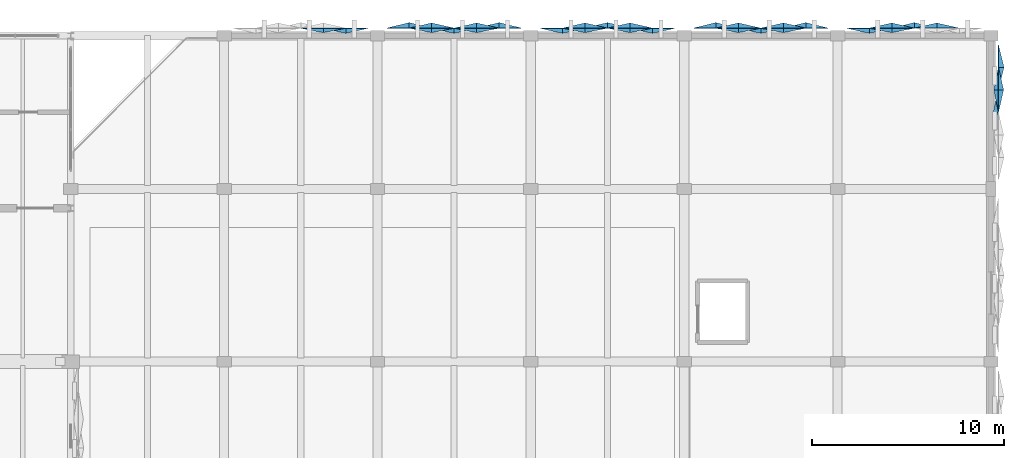
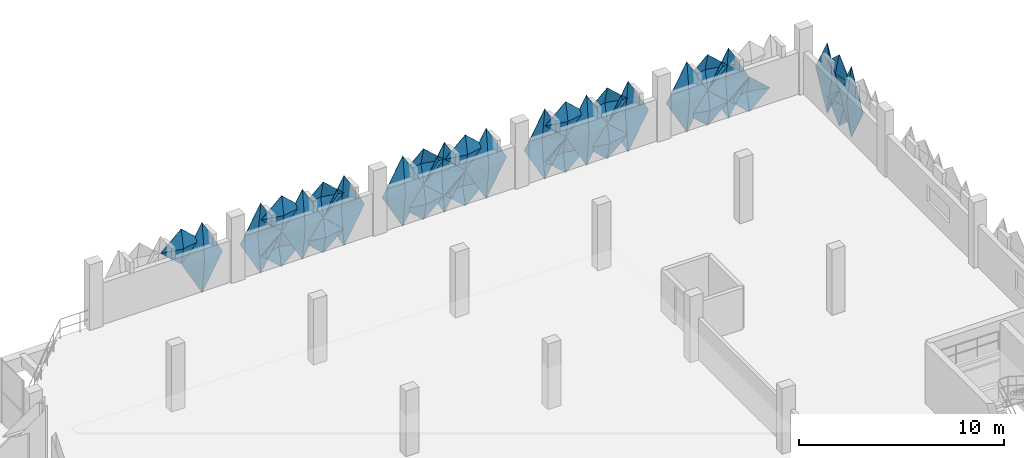
# One storey, part 105 of 123: 32 plates.
"""IFC4 building model written with IfcOpenShell, lengths in metres."""

from ifc_helpers import new_model, si_unit, derived_unit, direction, frame, origin, place, context, subcontext, project, spatial, polygons, material, layer, layer_set, type_object, element, save


model = new_model("IFC4")

# Units and contexts
model_context = context("Model", 3, precision=1e-05, world=origin(), true_north=direction((0.0, 1.0)))
body_context = subcontext(model_context, "Body", "Model", "MODEL_VIEW")
ifc_project = project(units=[si_unit("LENGTHUNIT", "METRE"), si_unit("AREAUNIT", "SQUARE_METRE"), si_unit("VOLUMEUNIT", "CUBIC_METRE"), si_unit("PLANEANGLEUNIT", "RADIAN"), si_unit("MASSUNIT", "GRAM", prefix="KILO"), si_unit("THERMODYNAMICTEMPERATUREUNIT", "KELVIN"), derived_unit("THERMALTRANSMITTANCEUNIT", [(si_unit("POWERUNIT", "WATT"), 1), (si_unit("AREAUNIT", "SQUARE_METRE"), -1), (si_unit("THERMODYNAMICTEMPERATUREUNIT", "KELVIN"), -1)])], contexts=[model_context])

# Site, building, storey
site_placement = place(None, origin())
site = spatial("IfcSite", under=ifc_project, at=site_placement, CompositionType="ELEMENT")
building_placement = place(site_placement, origin())
building = spatial("IfcBuilding", under=site, at=building_placement, Name="Haiyu Intermodal Mobility Hub", CompositionType="ELEMENT")
storey_placement = place(building_placement, frame((0.0, 0.0, 5.60009765625)))
storey = spatial("IfcBuildingStorey", under=building, at=storey_placement, Name="L01", CompositionType="ELEMENT", Elevation=5.60009765625)

# Plates
ifc_material = material(Name="Anodised aluminium 6063-T6", Category="aluminium")
ifc_layer_1 = layer(ifc_material, 0.01806640625)
ifc_layer_set_1 = layer_set([ifc_layer_1], Name="Anodised aluminium 6063-T6")
plate_type_1 = type_object("IfcPlateType", Name="PLT-FC03", PredefinedType="USERDEFINED", material=ifc_layer_set_1)
plate_1_placement = place(storey_placement, origin())
element("IfcPlate", 1, at=plate_1_placement, inside=storey, type_object=plate_type_1, Name="PLT-PYR-1068", ObjectType="FACADE CASSETTE", PredefinedType="USERDEFINED", context=body_context, shape_type="Tessellation", body=[
    polygons([(210.39990234375, 145.173095703125, -0.52001953125), (210.39990234375, 146.326904296875, 0.52978515625), (210.39990234375, 145.173095703125, 1.579833984375), (210.39990234375, 144.02001953125, 0.52978515625), (210.659912109375, 145.173095703125, 0.52978515625), (210.3779296875, 145.173095703125, -0.52001953125), (210.3779296875, 146.326904296875, 0.52978515625), (210.3779296875, 145.173095703125, 1.579833984375), (210.3779296875, 144.02001953125, 0.52978515625), (210.637939453125, 145.173095703125, 0.52978515625)], [[[1, 2, 5]], [[2, 3, 5]], [[3, 4, 5]], [[4, 1, 5]], [[7, 6, 10]], [[8, 7, 10]], [[9, 8, 10]], [[6, 9, 10]], [[1, 6, 7, 2]], [[2, 7, 8, 3]], [[3, 8, 9, 4]], [[4, 9, 6, 1]]], closed=True),
])
plate_2_placement = place(storey_placement, origin())
element("IfcPlate", 2, at=plate_2_placement, inside=storey, type_object=plate_type_1, Name="PLT-PYR-1078", ObjectType="FACADE CASSETTE", PredefinedType="USERDEFINED", context=body_context, shape_type="Tessellation", body=[
    polygons([(184.346923828125, 148.39990234375, -0.510009765625), (183.193115234375, 148.39990234375, 1.599853515625), (184.346923828125, 148.39990234375, 3.7099609375), (185.5, 148.39990234375, 1.599853515625), (184.346923828125, 148.679931640625, 1.599853515625), (184.346923828125, 148.3779296875, -0.510009765625), (183.193115234375, 148.3779296875, 1.599853515625), (184.346923828125, 148.3779296875, 3.7099609375), (185.5, 148.3779296875, 1.599853515625), (184.346923828125, 148.657958984375, 1.599853515625)], [[[1, 2, 5]], [[2, 3, 5]], [[3, 4, 5]], [[4, 1, 5]], [[7, 6, 10]], [[8, 7, 10]], [[9, 8, 10]], [[6, 9, 10]], [[1, 6, 7, 2]], [[2, 7, 8, 3]], [[3, 8, 9, 4]], [[4, 9, 6, 1]]], closed=True),
])
plate_3_placement = place(storey_placement, origin())
element("IfcPlate", 3, at=plate_3_placement, inside=storey, type_object=plate_type_1, Name="PLT-PYR-1082", ObjectType="FACADE CASSETTE", PredefinedType="USERDEFINED", context=body_context, shape_type="Tessellation", body=[
    polygons([(180.826904296875, 148.39990234375, -0.52001953125), (179.673095703125, 148.39990234375, 0.52978515625), (180.826904296875, 148.39990234375, 1.579833984375), (181.97998046875, 148.39990234375, 0.52978515625), (180.826904296875, 148.659912109375, 0.52978515625), (180.826904296875, 148.3779296875, -0.52001953125), (179.673095703125, 148.3779296875, 0.52978515625), (180.826904296875, 148.3779296875, 1.579833984375), (181.97998046875, 148.3779296875, 0.52978515625), (180.826904296875, 148.637939453125, 0.52978515625)], [[[1, 2, 5]], [[2, 3, 5]], [[3, 4, 5]], [[4, 1, 5]], [[7, 6, 10]], [[8, 7, 10]], [[9, 8, 10]], [[6, 9, 10]], [[1, 6, 7, 2]], [[2, 7, 8, 3]], [[3, 8, 9, 4]], [[4, 9, 6, 1]]], closed=True),
])
plate_4_placement = place(storey_placement, origin())
element("IfcPlate", 4, at=plate_4_placement, inside=storey, type_object=plate_type_1, Name="PLT-PYR-1086", ObjectType="FACADE CASSETTE", PredefinedType="USERDEFINED", context=body_context, shape_type="Tessellation", body=[
    polygons([(191.173095703125, 148.39990234375, -0.52001953125), (190.02001953125, 148.39990234375, 0.52978515625), (191.173095703125, 148.39990234375, 1.579833984375), (192.326904296875, 148.39990234375, 0.52978515625), (191.173095703125, 148.659912109375, 0.52978515625), (191.173095703125, 148.3779296875, -0.52001953125), (190.02001953125, 148.3779296875, 0.52978515625), (191.173095703125, 148.3779296875, 1.579833984375), (192.326904296875, 148.3779296875, 0.52978515625), (191.173095703125, 148.637939453125, 0.52978515625)], [[[1, 2, 5]], [[2, 3, 5]], [[3, 4, 5]], [[4, 1, 5]], [[7, 6, 10]], [[8, 7, 10]], [[9, 8, 10]], [[6, 9, 10]], [[1, 6, 7, 2]], [[2, 7, 8, 3]], [[3, 8, 9, 4]], [[4, 9, 6, 1]]], closed=True),
])
plate_5_placement = place(storey_placement, origin())
element("IfcPlate", 5, at=plate_5_placement, inside=storey, type_object=plate_type_1, Name="PLT-PYR-1092", ObjectType="FACADE CASSETTE", PredefinedType="USERDEFINED", context=body_context, shape_type="Tessellation", body=[
    polygons([(200.346923828125, 148.39990234375, -0.510009765625), (199.193115234375, 148.39990234375, 1.599853515625), (200.346923828125, 148.39990234375, 3.7099609375), (201.5, 148.39990234375, 1.599853515625), (200.346923828125, 148.679931640625, 1.599853515625), (200.346923828125, 148.3779296875, -0.510009765625), (199.193115234375, 148.3779296875, 1.599853515625), (200.346923828125, 148.3779296875, 3.7099609375), (201.5, 148.3779296875, 1.599853515625), (200.346923828125, 148.657958984375, 1.599853515625)], [[[1, 2, 5]], [[2, 3, 5]], [[3, 4, 5]], [[4, 1, 5]], [[7, 6, 10]], [[8, 7, 10]], [[9, 8, 10]], [[6, 9, 10]], [[1, 6, 7, 2]], [[2, 7, 8, 3]], [[3, 8, 9, 4]], [[4, 9, 6, 1]]], closed=True),
])
plate_6_placement = place(storey_placement, origin())
element("IfcPlate", 6, at=plate_6_placement, inside=storey, type_object=plate_type_1, Name="PLT-PYR-1096", ObjectType="FACADE CASSETTE", PredefinedType="USERDEFINED", context=body_context, shape_type="Tessellation", body=[
    polygons([(196.826904296875, 148.39990234375, -0.52001953125), (195.673095703125, 148.39990234375, 0.52978515625), (196.826904296875, 148.39990234375, 1.579833984375), (197.97998046875, 148.39990234375, 0.52978515625), (196.826904296875, 148.659912109375, 0.52978515625), (196.826904296875, 148.3779296875, -0.52001953125), (195.673095703125, 148.3779296875, 0.52978515625), (196.826904296875, 148.3779296875, 1.579833984375), (197.97998046875, 148.3779296875, 0.52978515625), (196.826904296875, 148.637939453125, 0.52978515625)], [[[1, 2, 5]], [[2, 3, 5]], [[3, 4, 5]], [[4, 1, 5]], [[7, 6, 10]], [[8, 7, 10]], [[9, 8, 10]], [[6, 9, 10]], [[1, 6, 7, 2]], [[2, 7, 8, 3]], [[3, 8, 9, 4]], [[4, 9, 6, 1]]], closed=True),
])
plate_7_placement = place(storey_placement, origin())
element("IfcPlate", 7, at=plate_7_placement, inside=storey, type_object=plate_type_1, Name="PLT-PYR-1100", ObjectType="FACADE CASSETTE", PredefinedType="USERDEFINED", context=body_context, shape_type="Tessellation", body=[
    polygons([(207.173095703125, 148.39990234375, -0.52001953125), (206.02001953125, 148.39990234375, 0.52978515625), (207.173095703125, 148.39990234375, 1.579833984375), (208.326904296875, 148.39990234375, 0.52978515625), (207.173095703125, 148.659912109375, 0.52978515625), (207.173095703125, 148.3779296875, -0.52001953125), (206.02001953125, 148.3779296875, 0.52978515625), (207.173095703125, 148.3779296875, 1.579833984375), (208.326904296875, 148.3779296875, 0.52978515625), (207.173095703125, 148.637939453125, 0.52978515625)], [[[1, 2, 5]], [[2, 3, 5]], [[3, 4, 5]], [[4, 1, 5]], [[7, 6, 10]], [[8, 7, 10]], [[9, 8, 10]], [[6, 9, 10]], [[1, 6, 7, 2]], [[2, 7, 8, 3]], [[3, 8, 9, 4]], [[4, 9, 6, 1]]], closed=True),
])
ifc_layer_2 = layer(ifc_material, 0.02001953125)
ifc_layer_set_2 = layer_set([ifc_layer_2], Name="Anodised aluminium 6063-T6")
plate_type_2 = type_object("IfcPlateType", Name="PLT-FC04", PredefinedType="USERDEFINED", material=ifc_layer_set_2)
plate_8_placement = place(storey_placement, origin())
element("IfcPlate", 8, at=plate_8_placement, inside=storey, type_object=plate_type_2, Name="PLT-PYR-1071", ObjectType="FACADE CASSETTE", PredefinedType="USERDEFINED", context=body_context, shape_type="Tessellation", body=[
    polygons([(176.346923828125, 148.39990234375, -0.510009765625), (175.193115234375, 148.39990234375, 1.599853515625), (176.346923828125, 148.39990234375, 3.7099609375), (177.5, 148.39990234375, 1.599853515625), (176.346923828125, 148.139892578125, 1.599853515625), (176.346923828125, 148.3779296875, -0.510009765625), (175.193115234375, 148.3779296875, 1.599853515625), (176.346923828125, 148.3779296875, 3.7099609375), (177.5, 148.3779296875, 1.599853515625), (176.346923828125, 148.117919921875, 1.599853515625)], [[[1, 2, 5]], [[2, 3, 5]], [[3, 4, 5]], [[4, 1, 5]], [[7, 6, 10]], [[8, 7, 10]], [[9, 8, 10]], [[6, 9, 10]], [[1, 6, 7, 2]], [[2, 7, 8, 3]], [[3, 8, 9, 4]], [[4, 9, 6, 1]]], closed=True),
])
plate_9_placement = place(storey_placement, origin())
element("IfcPlate", 9, at=plate_9_placement, inside=storey, type_object=plate_type_2, Name="PLT-PYR-1079", ObjectType="FACADE CASSETTE", PredefinedType="USERDEFINED", context=body_context, shape_type="Tessellation", body=[
    polygons([(183.173095703125, 148.39990234375, -0.52001953125), (182.02001953125, 148.39990234375, 0.52978515625), (183.173095703125, 148.39990234375, 1.579833984375), (184.326904296875, 148.39990234375, 0.52978515625), (183.173095703125, 148.179931640625, 0.52978515625), (183.173095703125, 148.3779296875, -0.52001953125), (182.02001953125, 148.3779296875, 0.52978515625), (183.173095703125, 148.3779296875, 1.579833984375), (184.326904296875, 148.3779296875, 0.52978515625), (183.173095703125, 148.157958984375, 0.52978515625)], [[[1, 2, 5]], [[2, 3, 5]], [[3, 4, 5]], [[4, 1, 5]], [[7, 6, 10]], [[8, 7, 10]], [[9, 8, 10]], [[6, 9, 10]], [[1, 6, 7, 2]], [[2, 7, 8, 3]], [[3, 8, 9, 4]], [[4, 9, 6, 1]]], closed=True),
])
plate_10_placement = place(storey_placement, origin())
element("IfcPlate", 10, at=plate_10_placement, inside=storey, type_object=plate_type_2, Name="PLT-PYR-1085", ObjectType="FACADE CASSETTE", PredefinedType="USERDEFINED", context=body_context, shape_type="Tessellation", body=[
    polygons([(192.346923828125, 148.39990234375, -0.510009765625), (191.193115234375, 148.39990234375, 1.599853515625), (192.346923828125, 148.39990234375, 3.7099609375), (193.5, 148.39990234375, 1.599853515625), (192.346923828125, 148.139892578125, 1.599853515625), (192.346923828125, 148.3779296875, -0.510009765625), (191.193115234375, 148.3779296875, 1.599853515625), (192.346923828125, 148.3779296875, 3.7099609375), (193.5, 148.3779296875, 1.599853515625), (192.346923828125, 148.117919921875, 1.599853515625)], [[[1, 2, 5]], [[2, 3, 5]], [[3, 4, 5]], [[4, 1, 5]], [[7, 6, 10]], [[8, 7, 10]], [[9, 8, 10]], [[6, 9, 10]], [[1, 6, 7, 2]], [[2, 7, 8, 3]], [[3, 8, 9, 4]], [[4, 9, 6, 1]]], closed=True),
])
plate_11_placement = place(storey_placement, origin())
element("IfcPlate", 11, at=plate_11_placement, inside=storey, type_object=plate_type_2, Name="PLT-PYR-1089", ObjectType="FACADE CASSETTE", PredefinedType="USERDEFINED", context=body_context, shape_type="Tessellation", body=[
    polygons([(188.826904296875, 148.39990234375, -0.52001953125), (187.673095703125, 148.39990234375, 0.52978515625), (188.826904296875, 148.39990234375, 1.579833984375), (189.97998046875, 148.39990234375, 0.52978515625), (188.826904296875, 148.179931640625, 0.52978515625), (188.826904296875, 148.3779296875, -0.52001953125), (187.673095703125, 148.3779296875, 0.52978515625), (188.826904296875, 148.3779296875, 1.579833984375), (189.97998046875, 148.3779296875, 0.52978515625), (188.826904296875, 148.157958984375, 0.52978515625)], [[[1, 2, 5]], [[2, 3, 5]], [[3, 4, 5]], [[4, 1, 5]], [[7, 6, 10]], [[8, 7, 10]], [[9, 8, 10]], [[6, 9, 10]], [[1, 6, 7, 2]], [[2, 7, 8, 3]], [[3, 8, 9, 4]], [[4, 9, 6, 1]]], closed=True),
])
plate_12_placement = place(storey_placement, origin())
element("IfcPlate", 12, at=plate_12_placement, inside=storey, type_object=plate_type_2, Name="PLT-PYR-1093", ObjectType="FACADE CASSETTE", PredefinedType="USERDEFINED", context=body_context, shape_type="Tessellation", body=[
    polygons([(199.173095703125, 148.39990234375, -0.52001953125), (198.02001953125, 148.39990234375, 0.52978515625), (199.173095703125, 148.39990234375, 1.579833984375), (200.326904296875, 148.39990234375, 0.52978515625), (199.173095703125, 148.179931640625, 0.52978515625), (199.173095703125, 148.3779296875, -0.52001953125), (198.02001953125, 148.3779296875, 0.52978515625), (199.173095703125, 148.3779296875, 1.579833984375), (200.326904296875, 148.3779296875, 0.52978515625), (199.173095703125, 148.157958984375, 0.52978515625)], [[[1, 2, 5]], [[2, 3, 5]], [[3, 4, 5]], [[4, 1, 5]], [[7, 6, 10]], [[8, 7, 10]], [[9, 8, 10]], [[6, 9, 10]], [[1, 6, 7, 2]], [[2, 7, 8, 3]], [[3, 8, 9, 4]], [[4, 9, 6, 1]]], closed=True),
])
plate_13_placement = place(storey_placement, origin())
element("IfcPlate", 13, at=plate_13_placement, inside=storey, type_object=plate_type_2, Name="PLT-PYR-1103", ObjectType="FACADE CASSETTE", PredefinedType="USERDEFINED", context=body_context, shape_type="Tessellation", body=[
    polygons([(204.826904296875, 148.39990234375, -0.52001953125), (203.673095703125, 148.39990234375, 0.52978515625), (204.826904296875, 148.39990234375, 1.579833984375), (205.97998046875, 148.39990234375, 0.52978515625), (204.826904296875, 148.179931640625, 0.52978515625), (204.826904296875, 148.3779296875, -0.52001953125), (203.673095703125, 148.3779296875, 0.52978515625), (204.826904296875, 148.3779296875, 1.579833984375), (205.97998046875, 148.3779296875, 0.52978515625), (204.826904296875, 148.157958984375, 0.52978515625)], [[[1, 2, 5]], [[2, 3, 5]], [[3, 4, 5]], [[4, 1, 5]], [[7, 6, 10]], [[8, 7, 10]], [[9, 8, 10]], [[6, 9, 10]], [[1, 6, 7, 2]], [[2, 7, 8, 3]], [[3, 8, 9, 4]], [[4, 9, 6, 1]]], closed=True),
])
ifc_layer_3 = layer(ifc_material, 0.01806640625)
ifc_layer_set_3 = layer_set([ifc_layer_3], Name="Anodised aluminium 6063-T6")
plate_type_3 = type_object("IfcPlateType", Name="PLT-FC05", PredefinedType="USERDEFINED", material=ifc_layer_set_3)
plate_14_placement = place(storey_placement, origin())
element("IfcPlate", 14, at=plate_14_placement, inside=storey, type_object=plate_type_3, Name="PLT-PYR-1080", ObjectType="FACADE CASSETTE", PredefinedType="USERDEFINED", context=body_context, shape_type="Tessellation", body=[
    polygons([(183.173095703125, 148.39990234375, 1.619873046875), (182.02001953125, 148.39990234375, 2.669921875), (183.173095703125, 148.39990234375, 3.719970703125), (184.326904296875, 148.39990234375, 2.669921875), (183.173095703125, 148.659912109375, 2.669921875), (183.173095703125, 148.3779296875, 1.619873046875), (182.02001953125, 148.3779296875, 2.669921875), (183.173095703125, 148.3779296875, 3.719970703125), (184.326904296875, 148.3779296875, 2.669921875), (183.173095703125, 148.637939453125, 2.669921875)], [[[1, 2, 5]], [[2, 3, 5]], [[3, 4, 5]], [[4, 1, 5]], [[7, 6, 10]], [[8, 7, 10]], [[9, 8, 10]], [[6, 9, 10]], [[1, 6, 7, 2]], [[2, 7, 8, 3]], [[3, 8, 9, 4]], [[4, 9, 6, 1]]], closed=True),
])
plate_15_placement = place(storey_placement, origin())
element("IfcPlate", 15, at=plate_15_placement, inside=storey, type_object=plate_type_3, Name="PLT-PYR-1088", ObjectType="FACADE CASSETTE", PredefinedType="USERDEFINED", context=body_context, shape_type="Tessellation", body=[
    polygons([(190.0, 148.39990234375, -0.510009765625), (188.846923828125, 148.39990234375, 1.599853515625), (190.0, 148.39990234375, 3.7099609375), (191.153076171875, 148.39990234375, 1.599853515625), (190.0, 148.679931640625, 1.599853515625), (190.0, 148.3779296875, -0.510009765625), (188.846923828125, 148.3779296875, 1.599853515625), (190.0, 148.3779296875, 3.7099609375), (191.153076171875, 148.3779296875, 1.599853515625), (190.0, 148.657958984375, 1.599853515625)], [[[1, 2, 5]], [[2, 3, 5]], [[3, 4, 5]], [[4, 1, 5]], [[7, 6, 10]], [[8, 7, 10]], [[9, 8, 10]], [[6, 9, 10]], [[1, 6, 7, 2]], [[2, 7, 8, 3]], [[3, 8, 9, 4]], [[4, 9, 6, 1]]], closed=True),
])
plate_16_placement = place(storey_placement, origin())
element("IfcPlate", 16, at=plate_16_placement, inside=storey, type_object=plate_type_3, Name="PLT-PYR-1090", ObjectType="FACADE CASSETTE", PredefinedType="USERDEFINED", context=body_context, shape_type="Tessellation", body=[
    polygons([(188.826904296875, 148.39990234375, 1.619873046875), (187.673095703125, 148.39990234375, 2.669921875), (188.826904296875, 148.39990234375, 3.719970703125), (189.97998046875, 148.39990234375, 2.669921875), (188.826904296875, 148.659912109375, 2.669921875), (188.826904296875, 148.3779296875, 1.619873046875), (187.673095703125, 148.3779296875, 2.669921875), (188.826904296875, 148.3779296875, 3.719970703125), (189.97998046875, 148.3779296875, 2.669921875), (188.826904296875, 148.637939453125, 2.669921875)], [[[1, 2, 5]], [[2, 3, 5]], [[3, 4, 5]], [[4, 1, 5]], [[7, 6, 10]], [[8, 7, 10]], [[9, 8, 10]], [[6, 9, 10]], [[1, 6, 7, 2]], [[2, 7, 8, 3]], [[3, 8, 9, 4]], [[4, 9, 6, 1]]], closed=True),
])
plate_17_placement = place(storey_placement, origin())
element("IfcPlate", 17, at=plate_17_placement, inside=storey, type_object=plate_type_3, Name="PLT-PYR-1094", ObjectType="FACADE CASSETTE", PredefinedType="USERDEFINED", context=body_context, shape_type="Tessellation", body=[
    polygons([(199.173095703125, 148.39990234375, 1.619873046875), (198.02001953125, 148.39990234375, 2.669921875), (199.173095703125, 148.39990234375, 3.719970703125), (200.326904296875, 148.39990234375, 2.669921875), (199.173095703125, 148.659912109375, 2.669921875), (199.173095703125, 148.3779296875, 1.619873046875), (198.02001953125, 148.3779296875, 2.669921875), (199.173095703125, 148.3779296875, 3.719970703125), (200.326904296875, 148.3779296875, 2.669921875), (199.173095703125, 148.637939453125, 2.669921875)], [[[1, 2, 5]], [[2, 3, 5]], [[3, 4, 5]], [[4, 1, 5]], [[7, 6, 10]], [[8, 7, 10]], [[9, 8, 10]], [[6, 9, 10]], [[1, 6, 7, 2]], [[2, 7, 8, 3]], [[3, 8, 9, 4]], [[4, 9, 6, 1]]], closed=True),
])
plate_18_placement = place(storey_placement, origin())
element("IfcPlate", 18, at=plate_18_placement, inside=storey, type_object=plate_type_3, Name="PLT-PYR-1102", ObjectType="FACADE CASSETTE", PredefinedType="USERDEFINED", context=body_context, shape_type="Tessellation", body=[
    polygons([(206.0, 148.39990234375, -0.510009765625), (204.846923828125, 148.39990234375, 1.599853515625), (206.0, 148.39990234375, 3.7099609375), (207.153076171875, 148.39990234375, 1.599853515625), (206.0, 148.679931640625, 1.599853515625), (206.0, 148.3779296875, -0.510009765625), (204.846923828125, 148.3779296875, 1.599853515625), (206.0, 148.3779296875, 3.7099609375), (207.153076171875, 148.3779296875, 1.599853515625), (206.0, 148.657958984375, 1.599853515625)], [[[1, 2, 5]], [[2, 3, 5]], [[3, 4, 5]], [[4, 1, 5]], [[7, 6, 10]], [[8, 7, 10]], [[9, 8, 10]], [[6, 9, 10]], [[1, 6, 7, 2]], [[2, 7, 8, 3]], [[3, 8, 9, 4]], [[4, 9, 6, 1]]], closed=True),
])
plate_19_placement = place(storey_placement, origin())
element("IfcPlate", 19, at=plate_19_placement, inside=storey, type_object=plate_type_3, Name="PLT-PYR-1104", ObjectType="FACADE CASSETTE", PredefinedType="USERDEFINED", context=body_context, shape_type="Tessellation", body=[
    polygons([(204.826904296875, 148.39990234375, 1.619873046875), (203.673095703125, 148.39990234375, 2.669921875), (204.826904296875, 148.39990234375, 3.719970703125), (205.97998046875, 148.39990234375, 2.669921875), (204.826904296875, 148.659912109375, 2.669921875), (204.826904296875, 148.3779296875, 1.619873046875), (203.673095703125, 148.3779296875, 2.669921875), (204.826904296875, 148.3779296875, 3.719970703125), (205.97998046875, 148.3779296875, 2.669921875), (204.826904296875, 148.637939453125, 2.669921875)], [[[1, 2, 5]], [[2, 3, 5]], [[3, 4, 5]], [[4, 1, 5]], [[7, 6, 10]], [[8, 7, 10]], [[9, 8, 10]], [[6, 9, 10]], [[1, 6, 7, 2]], [[2, 7, 8, 3]], [[3, 8, 9, 4]], [[4, 9, 6, 1]]], closed=True),
])
ifc_layer_4 = layer(ifc_material, 0.02001953125)
ifc_layer_set_4 = layer_set([ifc_layer_4], Name="Anodised aluminium 6063-T6")
plate_type_4 = type_object("IfcPlateType", Name="PLT-FC06", PredefinedType="USERDEFINED", material=ifc_layer_set_4)
plate_20_placement = place(storey_placement, origin())
element("IfcPlate", 20, at=plate_20_placement, inside=storey, type_object=plate_type_4, Name="PLT-PYR-1067", ObjectType="FACADE CASSETTE", PredefinedType="USERDEFINED", context=body_context, shape_type="Tessellation", body=[
    polygons([(210.39990234375, 144.0, -0.510009765625), (210.39990234375, 145.153076171875, 1.599853515625), (210.39990234375, 144.0, 3.7099609375), (210.39990234375, 142.846923828125, 1.599853515625), (210.139892578125, 144.0, 1.599853515625), (210.3779296875, 144.0, -0.510009765625), (210.3779296875, 145.153076171875, 1.599853515625), (210.3779296875, 144.0, 3.7099609375), (210.3779296875, 142.846923828125, 1.599853515625), (210.117919921875, 144.0, 1.599853515625)], [[[1, 2, 5]], [[2, 3, 5]], [[3, 4, 5]], [[4, 1, 5]], [[7, 6, 10]], [[8, 7, 10]], [[9, 8, 10]], [[6, 9, 10]], [[1, 6, 7, 2]], [[2, 7, 8, 3]], [[3, 8, 9, 4]], [[4, 9, 6, 1]]], closed=True),
])
plate_21_placement = place(storey_placement, origin())
element("IfcPlate", 21, at=plate_21_placement, inside=storey, type_object=plate_type_4, Name="PLT-PYR-1069", ObjectType="FACADE CASSETTE", PredefinedType="USERDEFINED", context=body_context, shape_type="Tessellation", body=[
    polygons([(210.39990234375, 145.173095703125, 1.619873046875), (210.39990234375, 146.326904296875, 2.669921875), (210.39990234375, 145.173095703125, 3.719970703125), (210.39990234375, 144.02001953125, 2.669921875), (210.179931640625, 145.173095703125, 2.669921875), (210.3779296875, 145.173095703125, 1.619873046875), (210.3779296875, 146.326904296875, 2.669921875), (210.3779296875, 145.173095703125, 3.719970703125), (210.3779296875, 144.02001953125, 2.669921875), (210.157958984375, 145.173095703125, 2.669921875)], [[[1, 2, 5]], [[2, 3, 5]], [[3, 4, 5]], [[4, 1, 5]], [[7, 6, 10]], [[8, 7, 10]], [[9, 8, 10]], [[6, 9, 10]], [[1, 6, 7, 2]], [[2, 7, 8, 3]], [[3, 8, 9, 4]], [[4, 9, 6, 1]]], closed=True),
])
plate_22_placement = place(storey_placement, origin())
element("IfcPlate", 22, at=plate_22_placement, inside=storey, type_object=plate_type_4, Name="PLT-PYR-1073", ObjectType="FACADE CASSETTE", PredefinedType="USERDEFINED", context=body_context, shape_type="Tessellation", body=[
    polygons([(175.173095703125, 148.39990234375, 1.619873046875), (174.02001953125, 148.39990234375, 2.669921875), (175.173095703125, 148.39990234375, 3.719970703125), (176.326904296875, 148.39990234375, 2.669921875), (175.173095703125, 148.179931640625, 2.669921875), (175.173095703125, 148.3779296875, 1.619873046875), (174.02001953125, 148.3779296875, 2.669921875), (175.173095703125, 148.3779296875, 3.719970703125), (176.326904296875, 148.3779296875, 2.669921875), (175.173095703125, 148.157958984375, 2.669921875)], [[[1, 2, 5]], [[2, 3, 5]], [[3, 4, 5]], [[4, 1, 5]], [[7, 6, 10]], [[8, 7, 10]], [[9, 8, 10]], [[6, 9, 10]], [[1, 6, 7, 2]], [[2, 7, 8, 3]], [[3, 8, 9, 4]], [[4, 9, 6, 1]]], closed=True),
])
plate_23_placement = place(storey_placement, origin())
element("IfcPlate", 23, at=plate_23_placement, inside=storey, type_object=plate_type_4, Name="PLT-PYR-1081", ObjectType="FACADE CASSETTE", PredefinedType="USERDEFINED", context=body_context, shape_type="Tessellation", body=[
    polygons([(182.0, 148.39990234375, -0.510009765625), (180.846923828125, 148.39990234375, 1.599853515625), (182.0, 148.39990234375, 3.7099609375), (183.153076171875, 148.39990234375, 1.599853515625), (182.0, 148.139892578125, 1.599853515625), (182.0, 148.3779296875, -0.510009765625), (180.846923828125, 148.3779296875, 1.599853515625), (182.0, 148.3779296875, 3.7099609375), (183.153076171875, 148.3779296875, 1.599853515625), (182.0, 148.117919921875, 1.599853515625)], [[[1, 2, 5]], [[2, 3, 5]], [[3, 4, 5]], [[4, 1, 5]], [[7, 6, 10]], [[8, 7, 10]], [[9, 8, 10]], [[6, 9, 10]], [[1, 6, 7, 2]], [[2, 7, 8, 3]], [[3, 8, 9, 4]], [[4, 9, 6, 1]]], closed=True),
])
plate_24_placement = place(storey_placement, origin())
element("IfcPlate", 24, at=plate_24_placement, inside=storey, type_object=plate_type_4, Name="PLT-PYR-1083", ObjectType="FACADE CASSETTE", PredefinedType="USERDEFINED", context=body_context, shape_type="Tessellation", body=[
    polygons([(180.826904296875, 148.39990234375, 1.619873046875), (179.673095703125, 148.39990234375, 2.669921875), (180.826904296875, 148.39990234375, 3.719970703125), (181.97998046875, 148.39990234375, 2.669921875), (180.826904296875, 148.179931640625, 2.669921875), (180.826904296875, 148.3779296875, 1.619873046875), (179.673095703125, 148.3779296875, 2.669921875), (180.826904296875, 148.3779296875, 3.719970703125), (181.97998046875, 148.3779296875, 2.669921875), (180.826904296875, 148.157958984375, 2.669921875)], [[[1, 2, 5]], [[2, 3, 5]], [[3, 4, 5]], [[4, 1, 5]], [[7, 6, 10]], [[8, 7, 10]], [[9, 8, 10]], [[6, 9, 10]], [[1, 6, 7, 2]], [[2, 7, 8, 3]], [[3, 8, 9, 4]], [[4, 9, 6, 1]]], closed=True),
])
plate_25_placement = place(storey_placement, origin())
element("IfcPlate", 25, at=plate_25_placement, inside=storey, type_object=plate_type_4, Name="PLT-PYR-1087", ObjectType="FACADE CASSETTE", PredefinedType="USERDEFINED", context=body_context, shape_type="Tessellation", body=[
    polygons([(191.173095703125, 148.39990234375, 1.619873046875), (190.02001953125, 148.39990234375, 2.669921875), (191.173095703125, 148.39990234375, 3.719970703125), (192.326904296875, 148.39990234375, 2.669921875), (191.173095703125, 148.179931640625, 2.669921875), (191.173095703125, 148.3779296875, 1.619873046875), (190.02001953125, 148.3779296875, 2.669921875), (191.173095703125, 148.3779296875, 3.719970703125), (192.326904296875, 148.3779296875, 2.669921875), (191.173095703125, 148.157958984375, 2.669921875)], [[[1, 2, 5]], [[2, 3, 5]], [[3, 4, 5]], [[4, 1, 5]], [[7, 6, 10]], [[8, 7, 10]], [[9, 8, 10]], [[6, 9, 10]], [[1, 6, 7, 2]], [[2, 7, 8, 3]], [[3, 8, 9, 4]], [[4, 9, 6, 1]]], closed=True),
])
plate_26_placement = place(storey_placement, origin())
element("IfcPlate", 26, at=plate_26_placement, inside=storey, type_object=plate_type_4, Name="PLT-PYR-1095", ObjectType="FACADE CASSETTE", PredefinedType="USERDEFINED", context=body_context, shape_type="Tessellation", body=[
    polygons([(198.0, 148.39990234375, -0.510009765625), (196.846923828125, 148.39990234375, 1.599853515625), (198.0, 148.39990234375, 3.7099609375), (199.153076171875, 148.39990234375, 1.599853515625), (198.0, 148.139892578125, 1.599853515625), (198.0, 148.3779296875, -0.510009765625), (196.846923828125, 148.3779296875, 1.599853515625), (198.0, 148.3779296875, 3.7099609375), (199.153076171875, 148.3779296875, 1.599853515625), (198.0, 148.117919921875, 1.599853515625)], [[[1, 2, 5]], [[2, 3, 5]], [[3, 4, 5]], [[4, 1, 5]], [[7, 6, 10]], [[8, 7, 10]], [[9, 8, 10]], [[6, 9, 10]], [[1, 6, 7, 2]], [[2, 7, 8, 3]], [[3, 8, 9, 4]], [[4, 9, 6, 1]]], closed=True),
])
plate_27_placement = place(storey_placement, origin())
element("IfcPlate", 27, at=plate_27_placement, inside=storey, type_object=plate_type_4, Name="PLT-PYR-1097", ObjectType="FACADE CASSETTE", PredefinedType="USERDEFINED", context=body_context, shape_type="Tessellation", body=[
    polygons([(196.826904296875, 148.39990234375, 1.619873046875), (195.673095703125, 148.39990234375, 2.669921875), (196.826904296875, 148.39990234375, 3.719970703125), (197.97998046875, 148.39990234375, 2.669921875), (196.826904296875, 148.179931640625, 2.669921875), (196.826904296875, 148.3779296875, 1.619873046875), (195.673095703125, 148.3779296875, 2.669921875), (196.826904296875, 148.3779296875, 3.719970703125), (197.97998046875, 148.3779296875, 2.669921875), (196.826904296875, 148.157958984375, 2.669921875)], [[[1, 2, 5]], [[2, 3, 5]], [[3, 4, 5]], [[4, 1, 5]], [[7, 6, 10]], [[8, 7, 10]], [[9, 8, 10]], [[6, 9, 10]], [[1, 6, 7, 2]], [[2, 7, 8, 3]], [[3, 8, 9, 4]], [[4, 9, 6, 1]]], closed=True),
])
ifc_layer_5 = layer(ifc_material, 0.02197265625)
ifc_layer_set_5 = layer_set([ifc_layer_5], Name="Anodised aluminium 6063-T6")
plate_type_5 = type_object("IfcPlateType", Name="PLT-FC07", PredefinedType="USERDEFINED", material=ifc_layer_set_5)
plate_28_placement = place(storey_placement, origin())
element("IfcPlate", 28, at=plate_28_placement, inside=storey, type_object=plate_type_5, Name="PLT-PYR-1070", ObjectType="FACADE CASSETTE", PredefinedType="USERDEFINED", context=body_context, shape_type="Tessellation", body=[
    polygons([(210.39990234375, 146.346923828125, -0.510009765625), (210.39990234375, 147.5, 1.599853515625), (210.39990234375, 146.346923828125, 3.7099609375), (210.39990234375, 145.193115234375, 1.599853515625), (210.679931640625, 146.346923828125, 1.599853515625), (210.3779296875, 146.346923828125, -0.510009765625), (210.3779296875, 147.5, 1.599853515625), (210.3779296875, 146.346923828125, 3.7099609375), (210.3779296875, 145.193115234375, 1.599853515625), (210.657958984375, 146.346923828125, 1.599853515625)], [[[1, 2, 5]], [[2, 3, 5]], [[3, 4, 5]], [[4, 1, 5]], [[7, 6, 10]], [[8, 7, 10]], [[9, 8, 10]], [[6, 9, 10]], [[1, 6, 7, 2]], [[2, 7, 8, 3]], [[3, 8, 9, 4]], [[4, 9, 6, 1]]], closed=True),
])
plate_29_placement = place(storey_placement, origin())
element("IfcPlate", 29, at=plate_29_placement, inside=storey, type_object=plate_type_5, Name="PLT-PYR-1084", ObjectType="FACADE CASSETTE", PredefinedType="USERDEFINED", context=body_context, shape_type="Tessellation", body=[
    polygons([(179.653076171875, 148.39990234375, -0.510009765625), (178.5, 148.39990234375, 1.599853515625), (179.653076171875, 148.39990234375, 3.7099609375), (180.806884765625, 148.39990234375, 1.599853515625), (179.653076171875, 148.679931640625, 1.599853515625), (179.653076171875, 148.3779296875, -0.510009765625), (178.5, 148.3779296875, 1.599853515625), (179.653076171875, 148.3779296875, 3.7099609375), (180.806884765625, 148.3779296875, 1.599853515625), (179.653076171875, 148.657958984375, 1.599853515625)], [[[1, 2, 5]], [[2, 3, 5]], [[3, 4, 5]], [[4, 1, 5]], [[7, 6, 10]], [[8, 7, 10]], [[9, 8, 10]], [[6, 9, 10]], [[1, 6, 7, 2]], [[2, 7, 8, 3]], [[3, 8, 9, 4]], [[4, 9, 6, 1]]], closed=True),
])
plate_30_placement = place(storey_placement, origin())
element("IfcPlate", 30, at=plate_30_placement, inside=storey, type_object=plate_type_5, Name="PLT-PYR-1098", ObjectType="FACADE CASSETTE", PredefinedType="USERDEFINED", context=body_context, shape_type="Tessellation", body=[
    polygons([(195.653076171875, 148.39990234375, -0.510009765625), (194.5, 148.39990234375, 1.599853515625), (195.653076171875, 148.39990234375, 3.7099609375), (196.806884765625, 148.39990234375, 1.599853515625), (195.653076171875, 148.679931640625, 1.599853515625), (195.653076171875, 148.3779296875, -0.510009765625), (194.5, 148.3779296875, 1.599853515625), (195.653076171875, 148.3779296875, 3.7099609375), (196.806884765625, 148.3779296875, 1.599853515625), (195.653076171875, 148.657958984375, 1.599853515625)], [[[1, 2, 5]], [[2, 3, 5]], [[3, 4, 5]], [[4, 1, 5]], [[7, 6, 10]], [[8, 7, 10]], [[9, 8, 10]], [[6, 9, 10]], [[1, 6, 7, 2]], [[2, 7, 8, 3]], [[3, 8, 9, 4]], [[4, 9, 6, 1]]], closed=True),
])
ifc_layer_6 = layer(ifc_material, 0.02392578125)
ifc_layer_set_6 = layer_set([ifc_layer_6], Name="Anodised aluminium 6063-T6")
plate_type_6 = type_object("IfcPlateType", Name="PLT-FC08", PredefinedType="USERDEFINED", material=ifc_layer_set_6)
plate_31_placement = place(storey_placement, origin())
element("IfcPlate", 31, at=plate_31_placement, inside=storey, type_object=plate_type_6, Name="PLT-PYR-1091", ObjectType="FACADE CASSETTE", PredefinedType="USERDEFINED", context=body_context, shape_type="Tessellation", body=[
    polygons([(187.653076171875, 148.39990234375, -0.510009765625), (186.5, 148.39990234375, 1.599853515625), (187.653076171875, 148.39990234375, 3.7099609375), (188.806884765625, 148.39990234375, 1.599853515625), (187.653076171875, 148.139892578125, 1.599853515625), (187.653076171875, 148.3779296875, -0.510009765625), (186.5, 148.3779296875, 1.599853515625), (187.653076171875, 148.3779296875, 3.7099609375), (188.806884765625, 148.3779296875, 1.599853515625), (187.653076171875, 148.117919921875, 1.599853515625)], [[[1, 2, 5]], [[2, 3, 5]], [[3, 4, 5]], [[4, 1, 5]], [[7, 6, 10]], [[8, 7, 10]], [[9, 8, 10]], [[6, 9, 10]], [[1, 6, 7, 2]], [[2, 7, 8, 3]], [[3, 8, 9, 4]], [[4, 9, 6, 1]]], closed=True),
])
plate_32_placement = place(storey_placement, origin())
element("IfcPlate", 32, at=plate_32_placement, inside=storey, type_object=plate_type_6, Name="PLT-PYR-1105", ObjectType="FACADE CASSETTE", PredefinedType="USERDEFINED", context=body_context, shape_type="Tessellation", body=[
    polygons([(203.653076171875, 148.39990234375, -0.510009765625), (202.5, 148.39990234375, 1.599853515625), (203.653076171875, 148.39990234375, 3.7099609375), (204.806884765625, 148.39990234375, 1.599853515625), (203.653076171875, 148.139892578125, 1.599853515625), (203.653076171875, 148.3779296875, -0.510009765625), (202.5, 148.3779296875, 1.599853515625), (203.653076171875, 148.3779296875, 3.7099609375), (204.806884765625, 148.3779296875, 1.599853515625), (203.653076171875, 148.117919921875, 1.599853515625)], [[[1, 2, 5]], [[2, 3, 5]], [[3, 4, 5]], [[4, 1, 5]], [[7, 6, 10]], [[8, 7, 10]], [[9, 8, 10]], [[6, 9, 10]], [[1, 6, 7, 2]], [[2, 7, 8, 3]], [[3, 8, 9, 4]], [[4, 9, 6, 1]]], closed=True),
])

save(model, "model.ifc")
